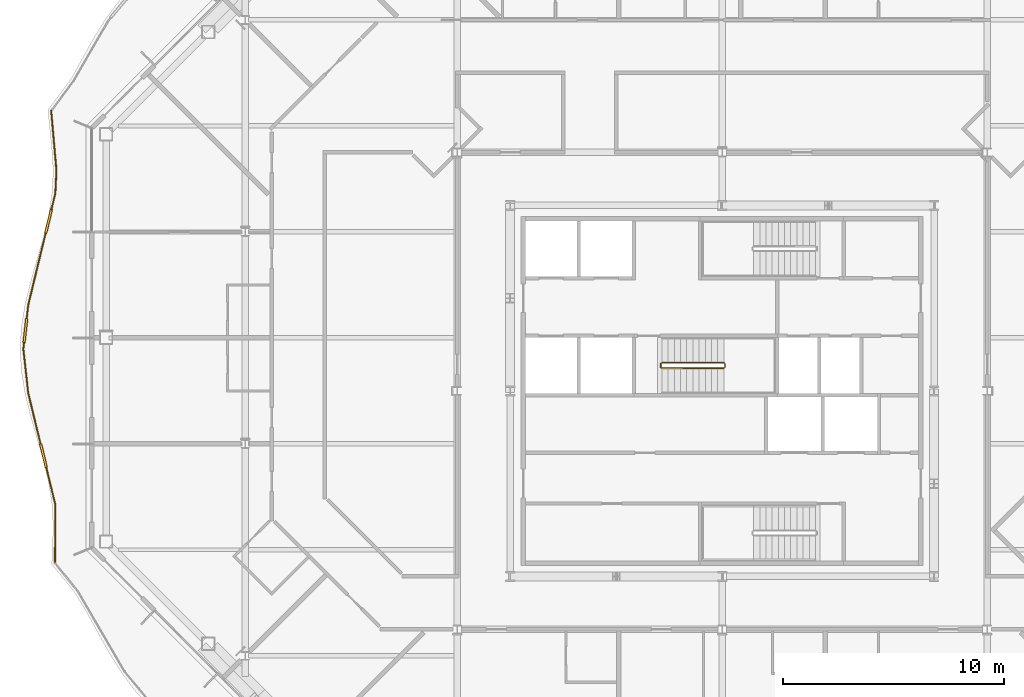
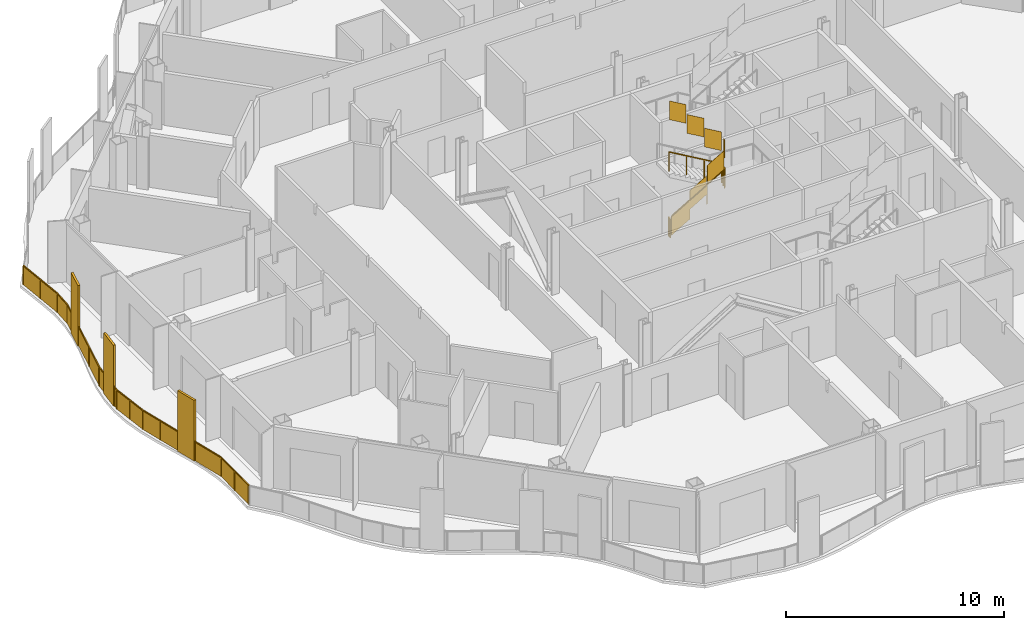
# One storey, part 16 of 21: 3 railings.
"""IFC4 building model written with IfcOpenShell, lengths in metres."""

from ifc_helpers import new_model, si_unit, direction, frame, origin, origin_2d, place, context, subcontext, project, spatial, polyline, rectangle, outline, extrude, material, type_object, element, save


model = new_model("IFC4")

# Units and contexts
model_context = context("Model", 3, precision=1e-05, world=origin(), true_north=direction((0.0, 1.0)))
body_context = subcontext(model_context, "Body", "Model", "MODEL_VIEW")
ifc_project = project(units=[si_unit("LENGTHUNIT", "METRE"), si_unit("AREAUNIT", "SQUARE_METRE"), si_unit("VOLUMEUNIT", "CUBIC_METRE"), si_unit("PLANEANGLEUNIT", "RADIAN"), si_unit("MASSUNIT", "GRAM", prefix="KILO")], contexts=[model_context])

# Site, building, storey
site_placement = place(None, origin())
site = spatial("IfcSite", under=ifc_project, at=site_placement, CompositionType="ELEMENT")
building_placement = place(site_placement, origin())
building = spatial("IfcBuilding", under=site, at=building_placement, Name="Cairn Pilgrim Tower", CompositionType="ELEMENT")
storey_placement = place(building_placement, frame((0.0, 0.0, 161.39990234375)))
storey = spatial("IfcBuildingStorey", under=building, at=storey_placement, Name="L40", CompositionType="ELEMENT", Elevation=161.39990234375)

# Railings
ifc_material_1 = material(Name="Bronze anodised aluminium rail, posts and fin screens with laminated glass infill", Category="aluminium")
railing_type_1 = type_object("IfcRailingType", Name="BALCONY GUARD WITH FIN SCREENS", PredefinedType="GUARDRAIL", material=ifc_material_1)
railing_1_placement = place(storey_placement, frame((-23.187744140625, 15.077880859375, 0.0)))
element("IfcRailing", 1, at=railing_1_placement, inside=storey, type_object=railing_type_1, Name="Balcony guard BGF-7 with fin screens", PredefinedType="GUARDRAIL", context=body_context, shape_type="SweptSolid", body=[
    extrude(rectangle(XDim=0.050048828125, YDim=0.050048828125, at=origin_2d()), frame((0.0, 0.0, 1.0751953125), z_axis=(0.087770076919, -0.996140759932, 0.0), x_axis=(0.996140759932, 0.087770076919, 0.0)), (0.0, 0.0, 1.0), 2.70654296875),
    extrude(rectangle(XDim=0.050048828125, YDim=0.050048828125, at=origin_2d()), frame((0.237548828125, -2.696044921875, 1.0751953125), z_axis=(-0.047833835176, -0.998855306945, 0.0), x_axis=(0.998855306945, -0.047833835176, 0.0)), (0.0, 0.0, 1.0), 1.0361328125),
    extrude(rectangle(XDim=1.10009765625, YDim=0.110107421875, at=origin_2d()), frame((-0.120849609375, -5.00244140625, 0.0), z_axis=(0.0, 0.0, 1.0), x_axis=(-0.235973279262, -0.971759544061, 0.0)), (0.0, 0.0, 1.0), 3.39990234375),
    extrude(rectangle(XDim=0.050048828125, YDim=0.050048828125, at=origin_2d()), frame((0.18798828125, -3.73095703125, 1.0751953125), z_axis=(-0.235973279262, -0.971759544061, 0.0), x_axis=(0.971759544061, -0.235973279262, 0.0)), (0.0, 0.0, 1.0), 0.75830078125),
    extrude(rectangle(XDim=0.050048828125, YDim=0.050048828125, at=origin_2d()), frame((-0.25048828125, -5.536865234375, 1.0751953125), z_axis=(-0.235973279262, -0.971759544061, 0.0), x_axis=(0.971759544061, -0.235973279262, 0.0)), (0.0, 0.0, 1.0), 3.345703125),
    extrude(rectangle(XDim=1.10009765625, YDim=0.110107421875, at=origin_2d()), frame((-1.168212890625, -9.9443359375, 0.0), z_axis=(0.0, 0.0, 1.0), x_axis=(-0.11019124151, -0.993910403555, 0.0)), (0.0, 0.0, 1.0), 3.39990234375),
    extrude(rectangle(XDim=0.050048828125, YDim=0.050048828125, at=origin_2d()), frame((-1.0400390625, -8.7880859375, 1.0751953125), z_axis=(-0.11019124151, -0.993910403555, 0.0), x_axis=(0.993910403555, -0.11019124151, 0.0)), (0.0, 0.0, 1.0), 0.613525390625),
    extrude(rectangle(XDim=0.050048828125, YDim=0.050048828125, at=origin_2d()), frame((-1.228759765625, -10.490966796875, 1.0751953125), z_axis=(-0.11019124151, -0.993910403555, 0.0), x_axis=(0.993910403555, -0.11019124151, 0.0)), (0.0, 0.0, 1.0), 0.2939453125),
    extrude(rectangle(XDim=0.050048828125, YDim=0.050048828125, at=origin_2d()), frame((-1.26123046875, -10.783203125, 1.0751953125), z_axis=(0.110084399686, -0.993922242907, 0.0), x_axis=(0.993922242907, 0.110084399686, 0.0)), (0.0, 0.0, 1.0), 2.007080078125),
    extrude(rectangle(XDim=1.10009765625, YDim=0.110107421875, at=origin_2d()), frame((-0.352783203125, -15.60986328125, 0.0), z_axis=(0.0, 0.0, 1.0), x_axis=(0.235967607812, -0.971760921247, 0.0)), (0.0, 0.0, 1.0), 3.39990234375),
    extrude(rectangle(XDim=0.050048828125, YDim=0.050048828125, at=origin_2d()), frame((-1.040283203125, -12.778076171875, 1.0751953125), z_axis=(0.235967607812, -0.971760921247, 0.0), x_axis=(0.971760921247, 0.235967607812, 0.0)), (0.0, 0.0, 1.0), 2.364013671875),
    extrude(rectangle(XDim=0.050048828125, YDim=0.050048828125, at=origin_2d()), frame((-0.222900390625, -16.144287109375, 1.0751953125), z_axis=(0.235967607812, -0.971760921247, 0.0), x_axis=(0.971760921247, 0.235967607812, 0.0)), (0.0, 0.0, 1.0), 1.744384765625),
    extrude(rectangle(XDim=0.050048828125, YDim=0.050048828125, at=origin_2d()), frame((0.188720703125, -17.83935546875, 1.0751953125), z_axis=(-0.007109498961, -0.999974727193, 0.0), x_axis=(0.999974727193, -0.007109498961, 0.0)), (0.0, 0.0, 1.0), 2.575439453125),
    extrude(rectangle(XDim=0.050048828125, YDim=0.050048828125, at=origin_2d()), origin(), (0.0, 0.0, 1.0), 1.050048828125),
    extrude(rectangle(XDim=0.050048828125, YDim=0.050048828125, at=origin_2d()), frame((0.11865234375, -1.34814453125, 0.0)), (0.0, 0.0, 1.0), 1.050048828125),
    extrude(rectangle(XDim=0.050048828125, YDim=0.050048828125, at=origin_2d()), frame((0.237548828125, -2.696044921875, 0.0)), (0.0, 0.0, 1.0), 1.050048828125),
    extrude(rectangle(XDim=0.050048828125, YDim=0.050048828125, at=origin_2d()), frame((0.18798828125, -3.73095703125, 0.0)), (0.0, 0.0, 1.0), 1.050048828125),
    extrude(rectangle(XDim=0.050048828125, YDim=0.050048828125, at=origin_2d()), frame((0.014892578125, -4.443603515625, 0.0)), (0.0, 0.0, 1.0), 1.050048828125),
    extrude(rectangle(XDim=0.050048828125, YDim=0.050048828125, at=origin_2d()), frame((-0.25634765625, -5.561279296875, 0.0)), (0.0, 0.0, 1.0), 1.050048828125),
    extrude(rectangle(XDim=0.050048828125, YDim=0.050048828125, at=origin_2d()), frame((-0.648193359375, -7.174560546875, 0.0)), (0.0, 0.0, 1.0), 1.050048828125),
    extrude(rectangle(XDim=0.050048828125, YDim=0.050048828125, at=origin_2d()), frame((-1.0400390625, -8.7880859375, 0.0)), (0.0, 0.0, 1.0), 1.050048828125),
    extrude(rectangle(XDim=0.050048828125, YDim=0.050048828125, at=origin_2d()), frame((-1.10498046875, -9.372802734375, 0.0)), (0.0, 0.0, 1.0), 1.050048828125),
    extrude(rectangle(XDim=0.050048828125, YDim=0.050048828125, at=origin_2d()), frame((-1.231689453125, -10.515869140625, 0.0)), (0.0, 0.0, 1.0), 1.050048828125),
    extrude(rectangle(XDim=0.050048828125, YDim=0.050048828125, at=origin_2d()), frame((-1.26123046875, -10.783203125, 0.0)), (0.0, 0.0, 1.0), 1.050048828125),
    extrude(rectangle(XDim=0.050048828125, YDim=0.050048828125, at=origin_2d()), frame((-1.15087890625, -11.78076171875, 0.0)), (0.0, 0.0, 1.0), 1.050048828125),
    extrude(rectangle(XDim=0.050048828125, YDim=0.050048828125, at=origin_2d()), frame((-1.040283203125, -12.778076171875, 0.0)), (0.0, 0.0, 1.0), 1.050048828125),
    extrude(rectangle(XDim=0.050048828125, YDim=0.050048828125, at=origin_2d()), frame((-0.764404296875, -13.91455078125, 0.0)), (0.0, 0.0, 1.0), 1.050048828125),
    extrude(rectangle(XDim=0.050048828125, YDim=0.050048828125, at=origin_2d()), frame((-0.48828125, -15.051025390625, 0.0)), (0.0, 0.0, 1.0), 1.050048828125),
    extrude(rectangle(XDim=0.050048828125, YDim=0.050048828125, at=origin_2d()), frame((-0.217041015625, -16.16845703125, 0.0)), (0.0, 0.0, 1.0), 1.050048828125),
    extrude(rectangle(XDim=0.050048828125, YDim=0.050048828125, at=origin_2d()), frame((0.188720703125, -17.83935546875, 0.0)), (0.0, 0.0, 1.0), 1.050048828125),
    extrude(rectangle(XDim=0.050048828125, YDim=0.050048828125, at=origin_2d()), frame((0.1796875, -19.126953125, 0.0)), (0.0, 0.0, 1.0), 1.050048828125),
    extrude(rectangle(XDim=0.050048828125, YDim=0.050048828125, at=origin_2d()), frame((0.17041015625, -20.414794921875, 0.0)), (0.0, 0.0, 1.0), 1.050048828125),
    extrude(outline(polyline([(0.02490234375, 0.0), (1.328125, 0.0), (1.328125, 1.050048828125), (0.02490234375, 1.050048828125), (0.02490234375, 0.0)])), frame((0.005859375, 0.00048828125, 0.0), z_axis=(-0.996140759932, -0.087770076919, 0.0), x_axis=(0.087770076919, -0.996140759932, 0.0)), (0.0, 0.0, 1.0), 0.011962890625),
    extrude(outline(polyline([(0.02490234375, 0.0), (1.328125, 0.0), (1.328125, 1.050048828125), (0.02490234375, 1.050048828125), (0.02490234375, 0.0)])), frame((0.124755859375, -1.347412109375, 0.0), z_axis=(-0.996140759932, -0.087770076919, 0.0), x_axis=(0.087770076919, -0.996140759932, 0.0)), (0.0, 0.0, 1.0), 0.011962890625),
    extrude(outline(polyline([(0.02490234375, 0.0), (1.010986328125, 0.0), (1.010986328125, 1.050048828125), (0.02490234375, 1.050048828125), (0.02490234375, 0.0)])), frame((0.243408203125, -2.6962890625, 0.0), z_axis=(-0.998855306945, 0.047833835176, 0.0), x_axis=(-0.047833835176, -0.998855306945, 0.0)), (0.0, 0.0, 1.0), 0.011962890625),
    extrude(outline(polyline([(0.02490234375, 0.0), (0.708251953125, 0.0), (0.708251953125, 1.050048828125), (0.02490234375, 1.050048828125), (0.02490234375, 0.0)])), frame((0.19384765625, -3.732421875, 0.0), z_axis=(-0.971759544061, 0.235973279262, 0.0), x_axis=(-0.235973279262, -0.971759544061, 0.0)), (0.0, 0.0, 1.0), 0.011962890625),
    extrude(outline(polyline([(0.02490234375, 0.0), (1.63525390625, 0.0), (1.63525390625, 1.050048828125), (0.02490234375, 1.050048828125), (0.02490234375, 0.0)])), frame((-0.250732421875, -5.5625, 0.0), z_axis=(-0.971759544061, 0.235973279262, 0.0), x_axis=(-0.235973279262, -0.971759544061, 0.0)), (0.0, 0.0, 1.0), 0.011962890625),
    extrude(outline(polyline([(0.02490234375, 0.0), (1.63525390625, 0.0), (1.63525390625, 1.050048828125), (0.02490234375, 1.050048828125), (0.02490234375, 0.0)])), frame((-0.642333984375, -7.176025390625, 0.0), z_axis=(-0.971759544061, 0.235973279262, 0.0), x_axis=(-0.235973279262, -0.971759544061, 0.0)), (0.0, 0.0, 1.0), 0.011962890625),
    extrude(outline(polyline([(0.02490234375, 0.0), (0.5634765625, 0.0), (0.5634765625, 1.050048828125), (0.02490234375, 1.050048828125), (0.02490234375, 0.0)])), frame((-1.0341796875, -8.788818359375, 0.0), z_axis=(-0.993910403555, 0.11019124151, 0.0), x_axis=(-0.11019124151, -0.993910403555, 0.0)), (0.0, 0.0, 1.0), 0.011962890625),
    extrude(outline(polyline([(0.02490234375, 0.0), (0.243896484375, 0.0), (0.243896484375, 1.050048828125), (0.02490234375, 1.050048828125), (0.02490234375, 0.0)])), frame((-1.2255859375, -10.5166015625, 0.0), z_axis=(-0.993910403555, 0.11019124151, 0.0), x_axis=(-0.11019124151, -0.993910403555, 0.0)), (0.0, 0.0, 1.0), 0.011962890625),
    extrude(outline(polyline([(0.02490234375, 0.0), (0.978515625, 0.0), (0.978515625, 1.050048828125), (0.02490234375, 1.050048828125), (0.02490234375, 0.0)])), frame((-1.25537109375, -10.782470703125, 0.0), z_axis=(-0.993922242907, -0.110084399686, 0.0), x_axis=(0.110084399686, -0.993922242907, 0.0)), (0.0, 0.0, 1.0), 0.011962890625),
    extrude(outline(polyline([(0.02490234375, 0.0), (0.978515625, 0.0), (0.978515625, 1.050048828125), (0.02490234375, 1.050048828125), (0.02490234375, 0.0)])), frame((-1.144775390625, -11.780029296875, 0.0), z_axis=(-0.993922242907, -0.110084399686, 0.0), x_axis=(0.110084399686, -0.993922242907, 0.0)), (0.0, 0.0, 1.0), 0.011962890625),
    extrude(outline(polyline([(0.02490234375, 0.0), (1.14453125, 0.0), (1.14453125, 1.050048828125), (0.02490234375, 1.050048828125), (0.02490234375, 0.0)])), frame((-1.034423828125, -12.776611328125, 0.0), z_axis=(-0.971760921247, -0.235967607812, 0.0), x_axis=(0.235967607812, -0.971760921247, 0.0)), (0.0, 0.0, 1.0), 0.011962890625),
    extrude(outline(polyline([(0.02490234375, 0.0), (1.14453125, 0.0), (1.14453125, 1.050048828125), (0.02490234375, 1.050048828125), (0.02490234375, 0.0)])), frame((-0.758544921875, -13.9130859375, 0.0), z_axis=(-0.971760921247, -0.235967607812, 0.0), x_axis=(0.235967607812, -0.971760921247, 0.0)), (0.0, 0.0, 1.0), 0.011962890625),
    extrude(outline(polyline([(0.02490234375, 0.0), (1.6943359375, 0.0), (1.6943359375, 1.050048828125), (0.02490234375, 1.050048828125), (0.02490234375, 0.0)])), frame((-0.211181640625, -16.167236328125, 0.0), z_axis=(-0.971760921247, -0.235967607812, 0.0), x_axis=(0.235967607812, -0.971760921247, 0.0)), (0.0, 0.0, 1.0), 0.011962890625),
    extrude(outline(polyline([(0.02490234375, 0.0), (1.2626953125, 0.0), (1.2626953125, 1.050048828125), (0.02490234375, 1.050048828125), (0.02490234375, 0.0)])), frame((0.194580078125, -17.83935546875, 0.0), z_axis=(-0.999974727193, 0.007109498961, 0.0), x_axis=(-0.007109498961, -0.999974727193, 0.0)), (0.0, 0.0, 1.0), 0.011962890625),
    extrude(outline(polyline([(0.02490234375, 0.0), (1.2626953125, 0.0), (1.2626953125, 1.050048828125), (0.02490234375, 1.050048828125), (0.02490234375, 0.0)])), frame((0.185546875, -19.127197265625, 0.0), z_axis=(-0.999974727193, 0.007109498961, 0.0), x_axis=(-0.007109498961, -0.999974727193, 0.0)), (0.0, 0.0, 1.0), 0.011962890625),
])
ifc_material_2 = material(Name="Painted steel", Category="steel")
railing_type_2 = type_object("IfcRailingType", Name="STAIR GUARD 1100", PredefinedType="GUARDRAIL", material=ifc_material_2)
railing_2_placement = place(storey_placement, frame((4.47509765625, 3.425048828125, 0.163818359375)))
element("IfcRailing", 2, at=railing_2_placement, inside=storey, type_object=railing_type_2, Name="L40 ST-B stair guard 1", PredefinedType="GUARDRAIL", context=body_context, shape_type="SweptSolid", body=[
    extrude(rectangle(XDim=0.048095703125, YDim=0.048095703125, at=origin_2d()), frame((0.0, 0.0, 1.076171875), z_axis=(0.863374499697, 0.0, 0.504563646405), x_axis=(0.0, 1.0, 0.0)), (0.0, 0.0, 1.0), 3.242919921875),
    extrude(rectangle(XDim=0.048095703125, YDim=0.048095703125, at=origin_2d()), frame((2.7998046875, 0.0, 2.71240234375), z_axis=(0.707106781187, 0.707106781187, 0.0), x_axis=(-0.707106781187, 0.707106781187, 0.0)), (0.0, 0.0, 1.0), 0.07080078125),
    extrude(rectangle(XDim=0.048095703125, YDim=0.048095703125, at=origin_2d()), frame((2.849853515625, 0.050048828125, 2.71240234375), z_axis=(0.0, 1.0, 0.0), x_axis=(-1.0, 0.0, 0.0)), (0.0, 0.0, 1.0), 0.14990234375),
    extrude(rectangle(XDim=0.048095703125, YDim=0.048095703125, at=origin_2d()), frame((2.849853515625, 0.199951171875, 2.71240234375), z_axis=(-0.280808744504, 0.280808744504, 0.917765164963), x_axis=(-0.707106781187, -0.707106781187, 0.0)), (0.0, 0.0, 1.0), 0.17822265625),
    extrude(rectangle(XDim=0.048095703125, YDim=0.048095703125, at=origin_2d()), frame((2.7998046875, 0.25, 2.8759765625), z_axis=(-0.863341702679, 0.0, 0.504619762213), x_axis=(0.0, -1.0, 0.0)), (0.0, 0.0, 1.0), 3.242919921875),
    extrude(rectangle(XDim=0.0419921875, YDim=0.0419921875, at=origin_2d()), origin(), (0.0, 0.0, 1.0), 1.052001953125),
    extrude(rectangle(XDim=0.0419921875, YDim=0.0419921875, at=origin_2d()), frame((0.933349609375, 0.0, 0.54541015625)), (0.0, 0.0, 1.0), 1.052001953125),
    extrude(rectangle(XDim=0.0419921875, YDim=0.0419921875, at=origin_2d()), frame((1.866455078125, 0.0, 1.0908203125)), (0.0, 0.0, 1.0), 1.052001953125),
    extrude(rectangle(XDim=0.0419921875, YDim=0.0419921875, at=origin_2d()), frame((2.7998046875, 0.0, 1.63623046875)), (0.0, 0.0, 1.0), 1.052001953125),
    extrude(rectangle(XDim=0.0419921875, YDim=0.0419921875, at=origin_2d()), frame((2.849853515625, 0.050048828125, 1.63623046875)), (0.0, 0.0, 1.0), 1.052001953125),
    extrude(rectangle(XDim=0.0419921875, YDim=0.0419921875, at=origin_2d()), frame((2.849853515625, 0.199951171875, 1.63623046875)), (0.0, 0.0, 1.0), 1.052001953125),
    extrude(rectangle(XDim=0.0419921875, YDim=0.0419921875, at=origin_2d()), frame((2.7998046875, 0.25, 1.7998046875)), (0.0, 0.0, 1.0), 1.052001953125),
    extrude(rectangle(XDim=0.0419921875, YDim=0.0419921875, at=origin_2d()), frame((1.866455078125, 0.25, 2.34521484375)), (0.0, 0.0, 1.0), 1.052001953125),
    extrude(rectangle(XDim=0.0419921875, YDim=0.0419921875, at=origin_2d()), frame((0.933349609375, 0.25, 2.890869140625)), (0.0, 0.0, 1.0), 1.052001953125),
    extrude(rectangle(XDim=0.0419921875, YDim=0.0419921875, at=origin_2d()), frame((0.0, 0.25, 3.436279296875)), (0.0, 0.0, 1.0), 1.052001953125),
    extrude(outline(polyline([(0.02099609375, 0.01220703125), (0.912353515625, 0.533203125), (0.912353515625, 1.585205078125), (0.02099609375, 1.064208984375), (0.02099609375, 0.01220703125)])), frame((0.0, 0.005859375, 0.0), z_axis=(0.0, -1.0, 0.0), x_axis=(1.0, 0.0, 0.0)), (0.0, 0.0, 1.0), 0.011962890625),
    extrude(outline(polyline([(0.02099609375, 0.5576171875), (0.912353515625, 1.07861328125), (0.912353515625, 2.130615234375), (0.02099609375, 1.609619140625), (0.02099609375, 0.5576171875)])), frame((0.933349609375, 0.005859375, 0.54541015625), z_axis=(0.0, -1.0, 0.0), x_axis=(1.0, 0.0, 0.0)), (0.0, 0.0, 1.0), 0.011962890625),
    extrude(outline(polyline([(0.02099609375, 1.10302734375), (0.912353515625, 1.6240234375), (0.912353515625, 2.676025390625), (0.02099609375, 2.155029296875), (0.02099609375, 1.10302734375)])), frame((1.866455078125, 0.005859375, 1.0908203125), z_axis=(0.0, -1.0, 0.0), x_axis=(1.0, 0.0, 0.0)), (0.0, 0.0, 1.0), 0.011962890625),
    extrude(outline(polyline([(0.02099609375, 1.63623046875), (0.12890625, 1.63623046875), (0.12890625, 2.688232421875), (0.02099609375, 2.688232421875), (0.02099609375, 1.63623046875)])), frame((2.84375, 0.050048828125, 1.63623046875), z_axis=(1.0, 0.0, 0.0), x_axis=(0.0, 1.0, 0.0)), (0.0, 0.0, 1.0), 0.011962890625),
    extrude(outline(polyline([(0.02099609375, 1.81201171875), (0.912353515625, 2.3330078125), (0.912353515625, 3.385009765625), (0.02099609375, 2.864013671875), (0.02099609375, 1.81201171875)])), frame((2.7998046875, 0.244140625, 1.7998046875), z_axis=(0.0, 1.0, 0.0), x_axis=(-1.0, 0.0, 0.0)), (0.0, 0.0, 1.0), 0.011962890625),
    extrude(outline(polyline([(0.02099609375, 2.357666015625), (0.912353515625, 2.87841796875), (0.912353515625, 3.930419921875), (0.02099609375, 3.40966796875), (0.02099609375, 2.357666015625)])), frame((1.866455078125, 0.244140625, 2.34521484375), z_axis=(0.0, 1.0, 0.0), x_axis=(-1.0, 0.0, 0.0)), (0.0, 0.0, 1.0), 0.011962890625),
    extrude(outline(polyline([(0.02099609375, 2.903076171875), (0.912353515625, 3.424072265625), (0.912353515625, 4.47607421875), (0.02099609375, 3.955078125), (0.02099609375, 2.903076171875)])), frame((0.933349609375, 0.244140625, 2.890869140625), z_axis=(0.0, 1.0, 0.0), x_axis=(-1.0, 0.0, 0.0)), (0.0, 0.0, 1.0), 0.011962890625),
])
railing_3_placement = place(storey_placement, frame((4.425048828125, 3.47509765625, 0.0)))
element("IfcRailing", 3, at=railing_3_placement, inside=storey, type_object=railing_type_2, Name="L40 ST-B stair guard 2", PredefinedType="GUARDRAIL", context=body_context, shape_type="SweptSolid", body=[
    extrude(rectangle(XDim=0.048095703125, YDim=0.048095703125, at=origin_2d()), frame((0.0, 0.0, 1.076171875), z_axis=(0.0, 1.0, 0.0), x_axis=(-1.0, 0.0, 0.0)), (0.0, 0.0, 1.0), 0.14990234375),
    extrude(rectangle(XDim=0.0419921875, YDim=0.0419921875, at=origin_2d()), origin(), (0.0, 0.0, 1.0), 1.052001953125),
    extrude(rectangle(XDim=0.0419921875, YDim=0.0419921875, at=origin_2d()), frame((0.0, 0.14990234375, 0.0)), (0.0, 0.0, 1.0), 1.052001953125),
    extrude(outline(polyline([(0.02099609375, 0.0), (0.12890625, 0.0), (0.12890625, 1.052001953125), (0.02099609375, 1.052001953125), (0.02099609375, 0.0)])), frame((-0.005859375, 0.0, 0.0), z_axis=(1.0, 0.0, 0.0), x_axis=(0.0, 1.0, 0.0)), (0.0, 0.0, 1.0), 0.011962890625),
])

save(model, "model.ifc")
